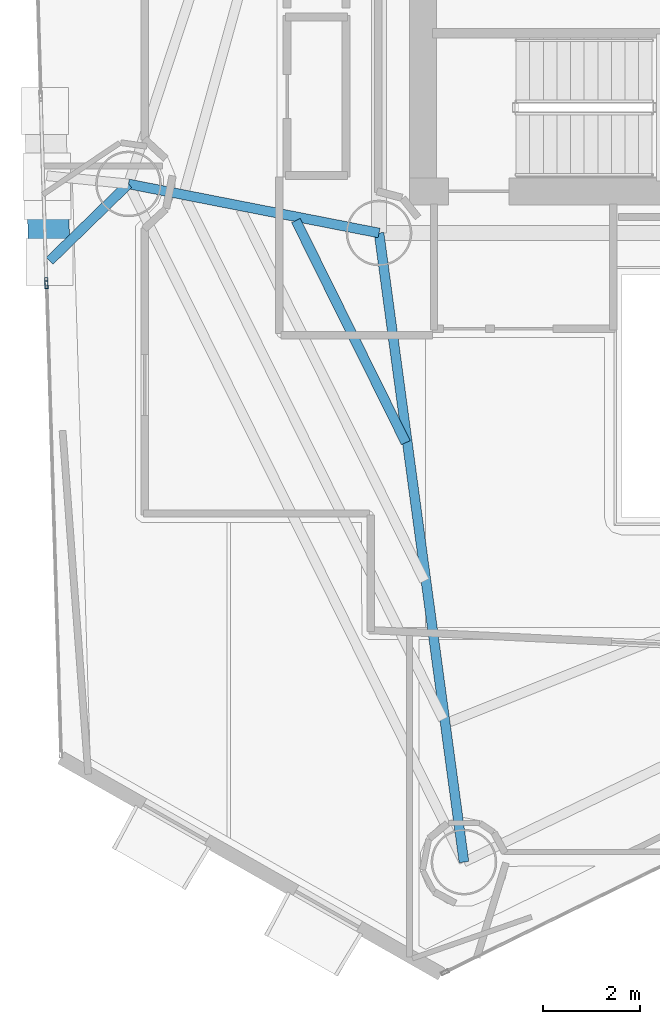
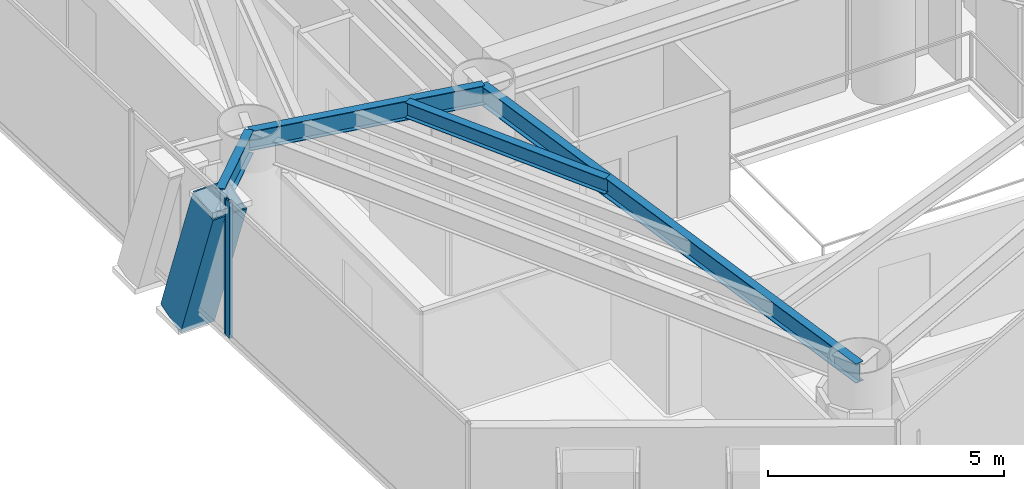
# One storey, part 4 of 23: 4 beams, 3 members, 2 elements without a shape of their own.
"""IFC4 building model written with IfcOpenShell, lengths in metres."""

from ifc_helpers import new_model, si_unit, direction, frame, origin, origin_2d, place, context, subcontext, project, spatial, hollow_rectangle, i_section, extrude, material, layer, layer_set, material_profile, profile_set, type_object, element, aggregate, save


model = new_model("IFC4")

# Units and contexts
model_context = context("Model", 3, precision=1e-05, world=origin(), true_north=direction((0.0, 1.0)))
body_context = subcontext(model_context, "Body", "Model", "MODEL_VIEW")
ifc_project = project(units=[si_unit("LENGTHUNIT", "METRE"), si_unit("AREAUNIT", "SQUARE_METRE"), si_unit("VOLUMEUNIT", "CUBIC_METRE"), si_unit("PLANEANGLEUNIT", "RADIAN"), si_unit("MASSUNIT", "GRAM", prefix="KILO")], contexts=[model_context])

# Site, building, storey
site_placement = place(None, origin())
site = spatial("IfcSite", under=ifc_project, at=site_placement, CompositionType="ELEMENT")
building_placement = place(site_placement, origin())
building = spatial("IfcBuilding", under=site, at=building_placement, Name="Qianvela Tower", CompositionType="ELEMENT")
storey_placement = place(building_placement, frame((0.0, 0.0, 162.39990234375)))
storey = spatial("IfcBuildingStorey", under=building, at=storey_placement, Name="L41", CompositionType="ELEMENT", Elevation=162.39990234375)

# Beams
ifc_material_1 = material(Name="Steel Q355B", Category="steel")
ifc_material_profile_1 = material_profile(ifc_material_1, i_section(OverallWidth=0.199951171875, OverallDepth=0.39990234375, WebThickness=0.008056640625, FlangeThickness=0.012939453125, at=origin_2d()), Name="HN400x200x8x13")
ifc_profile_set_1 = profile_set([ifc_material_profile_1], Name="Steel Q355B")
beam_type_1 = type_object("IfcBeamType", Name="BM-HN400-JOIST", PredefinedType="JOIST", material=ifc_profile_set_1)
beam_1_placement = place(storey_placement, frame((26.89013671875, 24.10693359375, 3.318115234375), z_axis=(0.443417880161, -0.896315002415, 0.0), x_axis=(0.896315002415, 0.443417880161, 0.0)))
element("IfcBeam", 1, at=beam_1_placement, inside=storey, type_object=beam_type_1, Name="L41 Secondary Composite Floor Joist 4.1", PredefinedType="JOIST", context=body_context, shape_type="SweptSolid", body=[
    extrude(i_section(OverallWidth=0.199951171875, OverallDepth=0.39990234375, WebThickness=0.008056640625, FlangeThickness=0.012939453125, at=origin_2d()), origin(), (0.0, 0.0, 1.0), 5.099609375),
])
ifc_material_2 = material(Name="Steel Q355B", Category="steel")
ifc_material_profile_2 = material_profile(ifc_material_2, i_section(OverallWidth=0.199951171875, OverallDepth=0.5, WebThickness=0.010009765625, FlangeThickness=0.01611328125, at=origin_2d()), Name="HN500x200x10x16")
ifc_profile_set_2 = profile_set([ifc_material_profile_2], Name="Steel Q355B")
beam_type_2 = type_object("IfcBeamType", Name="BM-HN500-GIRD", PredefinedType="BEAM", material=ifc_profile_set_2)
beam_2_placement = place(storey_placement, frame((28.60009765625, 23.85009765625, 3.26806640625), z_axis=(-0.98137875074, 0.192082658238, 0.0), x_axis=(-0.192082658238, -0.98137875074, 0.0)))
element("IfcBeam", 2, at=beam_2_placement, inside=storey, type_object=beam_type_2, Name="L41 Radial Primary Floor Girder 4", PredefinedType="BEAM", context=body_context, shape_type="SweptSolid", body=[
    extrude(i_section(OverallWidth=0.199951171875, OverallDepth=0.5, WebThickness=0.010009765625, FlangeThickness=0.01611328125, at=origin_2d()), origin(), (0.0, 0.0, 1.0), 5.251953125),
])
beam_3_placement = place(storey_placement, frame((28.60009765625, 23.85009765625, 3.26806640625), z_axis=(0.133769024854, -0.991012536747, 0.0), x_axis=(0.991012536747, 0.133769024854, 0.0)))
element("IfcBeam", 3, at=beam_3_placement, inside=storey, type_object=beam_type_2, Name="L41 Radial Primary Floor Girder 5", PredefinedType="BEAM", context=body_context, shape_type="SweptSolid", body=[
    extrude(i_section(OverallWidth=0.199951171875, OverallDepth=0.5, WebThickness=0.010009765625, FlangeThickness=0.01611328125, at=origin_2d()), origin(), (0.0, 0.0, 1.0), 13.05859375),
])
ifc_material_3 = material(Name="Steel Q355B", Category="steel")
ifc_material_profile_3 = material_profile(ifc_material_3, i_section(OverallWidth=0.199951171875, OverallDepth=0.60009765625, WebThickness=0.010986328125, FlangeThickness=0.01708984375, at=origin_2d()), Name="HN600x200x11x17")
ifc_profile_set_3 = profile_set([ifc_material_profile_3], Name="Steel Q355B")
beam_type_3 = type_object("IfcBeamType", Name="BM-HN600-GIRD", PredefinedType="BEAM", material=ifc_profile_set_3)
beam_4_placement = place(storey_placement, frame((23.446044921875, 24.85888671875, 3.218017578125), z_axis=(-0.715986685403, -0.698113935061, 0.0), x_axis=(0.698113935061, -0.715986685403, 0.0)))
element("IfcBeam", 4, at=beam_4_placement, inside=storey, type_object=beam_type_3, Name="L41 Mega-Brace Column Tie Bracket F2-2", PredefinedType="BEAM", context=body_context, shape_type="SweptSolid", body=[
    extrude(i_section(OverallWidth=0.199951171875, OverallDepth=0.60009765625, WebThickness=0.010986328125, FlangeThickness=0.01708984375, at=origin_2d()), origin(), (0.0, 0.0, 1.0), 2.267578125),
])

# Curtain wall, member
ifc_material_4 = material(Name="Anodised Architectural Aluminium and Insulated Spandrel Panel", Category="aluminium")
ifc_layer_1 = layer(ifc_material_4, 0.179931640625)
ifc_layer_set_1 = layer_set([ifc_layer_1], Name="Anodised Architectural Aluminium and Insulated Spandrel Panel")
curtain_wall_type_1 = type_object("IfcCurtainWallType", Name="CW-BRACEBAY", PredefinedType="USERDEFINED", material=ifc_layer_set_1)
curtain_wall_1_placement = place(storey_placement, origin())
curtain_wall_1 = element("IfcCurtainWall", 5, at=curtain_wall_1_placement, inside=storey, type_object=curtain_wall_type_1, Name="L41 CW-BRACEBAY Curtain Wall 04B", ObjectType="CURTAIN_WALL_SYSTEM", PredefinedType="USERDEFINED")
ifc_material_5 = material(Name="Anodised Architectural Aluminium 6063-T6", Category="aluminium")
ifc_material_profile_4 = material_profile(ifc_material_5, hollow_rectangle(XDim=0.06494140625, YDim=0.159912109375, WallThickness=0.0048828125, at=origin_2d()), Name="ALU-MULL-65x160")
ifc_profile_set_4 = profile_set([ifc_material_profile_4], Name="Anodised Architectural Aluminium 6063-T6")
member_type_1 = type_object("IfcMemberType", Name="CW-BRACEBAY-MULL", PredefinedType="MULLION", material=ifc_profile_set_4)
member_1_placement = place(storey_placement, frame((21.755615234375, 22.85107421875, 0.0), z_axis=(0.0, 0.0, 1.0), x_axis=(0.99952864014, 0.030700122815, 0.0)))
member_1 = element("IfcMember", 6, at=member_1_placement, type_object=member_type_1, Name="CW-9 mullion 2", PredefinedType="MULLION", context=body_context, shape_type="SweptSolid", body=[
    extrude(hollow_rectangle(XDim=0.06494140625, YDim=0.159912109375, WallThickness=0.0048828125, at=origin_2d()), origin(), (0.0, 0.0, 1.0), 3.52001953125),
])
aggregate(curtain_wall_1, [member_1])

ifc_material_6 = material(Name="Anodised Architectural Aluminium and Low-E Glass", Category="aluminium")
ifc_layer_2 = layer(ifc_material_6, 0.169921875)
ifc_layer_set_2 = layer_set([ifc_layer_2], Name="Anodised Architectural Aluminium and Low-E Glass")
curtain_wall_type_2 = type_object("IfcCurtainWallType", Name="CW-COLIV-Z34", PredefinedType="USERDEFINED", material=ifc_layer_set_2)
curtain_wall_2_placement = place(storey_placement, origin())
curtain_wall_2 = element("IfcCurtainWall", 7, at=curtain_wall_2_placement, inside=storey, type_object=curtain_wall_type_2, Name="L41 CW-COLIV-Z34 Curtain Wall 04C", ObjectType="CURTAIN_WALL_SYSTEM", PredefinedType="USERDEFINED")
ifc_material_7 = material(Name="Anodised Architectural Aluminium 6063-T6", Category="aluminium")
ifc_material_profile_5 = material_profile(ifc_material_7, hollow_rectangle(XDim=0.06494140625, YDim=0.159912109375, WallThickness=0.0048828125, at=origin_2d()), Name="ALU-MULL-65x160")
ifc_profile_set_5 = profile_set([ifc_material_profile_5], Name="Anodised Architectural Aluminium 6063-T6")
member_type_2 = type_object("IfcMemberType", Name="CW-COLIV-Z34-MULL", PredefinedType="MULLION", material=ifc_profile_set_5)
member_2_placement = place(storey_placement, frame((21.757568359375, 22.7861328125, 0.0), z_axis=(0.0, 0.0, 1.0), x_axis=(0.999528047794, 0.030719402241, 0.0)))
member_2 = element("IfcMember", 8, at=member_2_placement, type_object=member_type_2, Name="CW-4 mullion 1", PredefinedType="MULLION", context=body_context, shape_type="SweptSolid", body=[
    extrude(hollow_rectangle(XDim=0.06494140625, YDim=0.159912109375, WallThickness=0.0048828125, at=origin_2d()), origin(), (0.0, 0.0, 1.0), 3.52001953125),
])
aggregate(curtain_wall_2, [member_2])

# Member
ifc_material_8 = material(Name="Steel Q420GJC", Category="steel")
ifc_material_profile_6 = material_profile(ifc_material_8, hollow_rectangle(XDim=0.85009765625, YDim=0.85009765625, WallThickness=0.031982421875, at=origin_2d()), Name="MBOX-850x850x32")
ifc_profile_set_6 = profile_set([ifc_material_profile_6], Name="Steel Q420GJC")
member_type_3 = type_object("IfcMemberType", Name="MBR-MBRACE-850", PredefinedType="BRACE", material=ifc_profile_set_6)
member_3_placement = place(storey_placement, frame((21.7822265625, 24.587890625, -0.48193359375), z_axis=(0.010260901842, -0.334194463632, 0.942448287372), x_axis=(0.999528984016, 0.030688924891, 0.0)))
element("IfcMember", 9, at=member_3_placement, inside=storey, type_object=member_type_3, Name="L41 Tier 7 Exterior Mega-Brace F2B", PredefinedType="BRACE", context=body_context, shape_type="SweptSolid", body=[
    extrude(hollow_rectangle(XDim=0.85009765625, YDim=0.85009765625, WallThickness=0.031982421875, at=origin_2d()), origin(), (0.0, 0.0, 1.0), 3.92578125),
])

save(model, "model.ifc")
